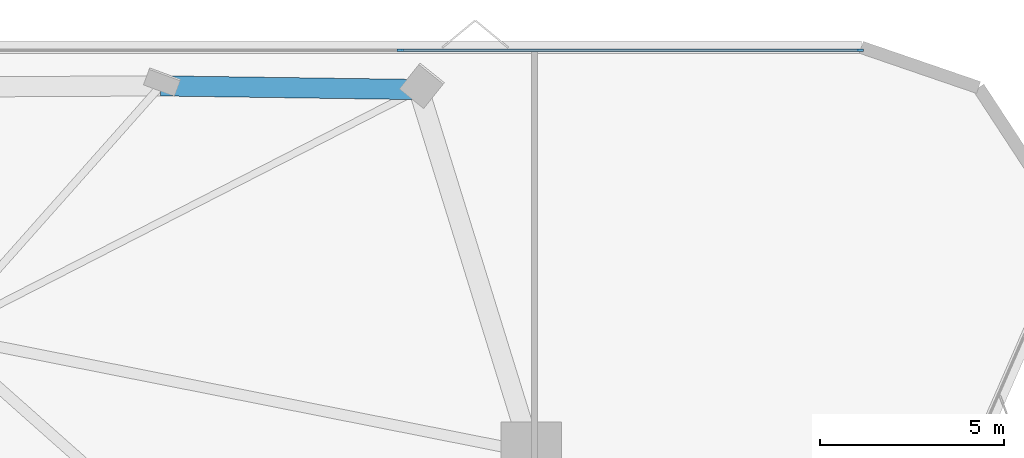
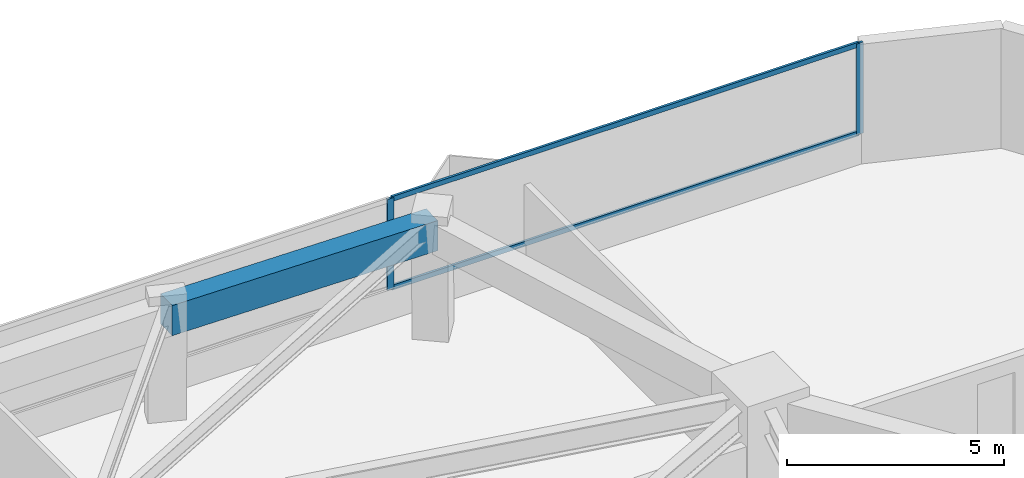
# One storey, part 8 of 15: 4 members, 1 beam, 1 element without a shape of its own.
"""IFC4 building model written with IfcOpenShell, lengths in metres."""

from ifc_helpers import new_model, si_unit, direction, frame, origin, origin_2d, place, context, subcontext, project, spatial, rectangle, extrude, material, layer, layer_set, material_profile, profile_set, type_object, element, aggregate, save


model = new_model("IFC4")

# Units and contexts
model_context = context("Model", 3, precision=1e-05, world=origin(), true_north=direction((0.0, 1.0)))
body_context = subcontext(model_context, "Body", "Model", "MODEL_VIEW")
ifc_project = project(units=[si_unit("LENGTHUNIT", "METRE"), si_unit("AREAUNIT", "SQUARE_METRE"), si_unit("VOLUMEUNIT", "CUBIC_METRE"), si_unit("PLANEANGLEUNIT", "RADIAN"), si_unit("MASSUNIT", "GRAM", prefix="KILO")], contexts=[model_context])

# Site, building, storey
site_placement = place(None, origin())
site = spatial("IfcSite", under=ifc_project, at=site_placement, CompositionType="ELEMENT")
building_placement = place(site_placement, origin())
building = spatial("IfcBuilding", under=site, at=building_placement, Name="Talyreon Biosciences Tower", CompositionType="ELEMENT")
storey_placement = place(building_placement, frame((0.0, 0.0, 111.5)))
storey = spatial("IfcBuildingStorey", under=building, at=storey_placement, Name="L29", CompositionType="ELEMENT", Elevation=111.5)

# Curtain wall, members
ifc_material_1 = material(Name="Thermally broken aluminium and low-E glazing", Category="aluminium")
ifc_layer = layer(ifc_material_1, 0.18994140625)
ifc_layer_set = layer_set([ifc_layer], Name="Thermally broken aluminium and low-E glazing")
curtain_wall_type = type_object("IfcCurtainWallType", Name="CurtainWall_Zone2Genomics", PredefinedType="NOTDEFINED", material=ifc_layer_set)
curtain_wall_placement = place(storey_placement, origin())
curtain_wall = element("IfcCurtainWall", 1, at=curtain_wall_placement, inside=storey, type_object=curtain_wall_type, Name="L29 Unitised Curtain Wall FCW-L29-04", PredefinedType="NOTDEFINED")
ifc_material_2 = material(Name="Anodised thermally broken aluminium", Category="aluminium")
ifc_material_profile_1 = material_profile(ifc_material_2, rectangle(XDim=0.06494140625, YDim=0.179931640625, at=origin_2d()), Name="ALUM MULLION 65x180")
ifc_profile_set_1 = profile_set([ifc_material_profile_1], Name="Anodised thermally broken aluminium")
member_type_1 = type_object("IfcMemberType", Name="CWMullion_65x180", PredefinedType="MULLION", material=ifc_profile_set_1)
member_1_placement = place(storey_placement, frame((78.544189453125, 89.539794921875, 0.81005859375), z_axis=(0.0, 0.0, 1.0), x_axis=(0.0, 1.0, 0.0)))
member_1 = element("IfcMember", 2, at=member_1_placement, type_object=member_type_1, Name="CW3 mullion 4", PredefinedType="MULLION", context=body_context, shape_type="SweptSolid", body=[
    extrude(rectangle(XDim=0.06494140625, YDim=0.179931640625, at=origin_2d()), origin(), (0.0, 0.0, 1.0), 2.56494140625),
])
member_2_placement = place(storey_placement, frame((91.055908203125, 89.539794921875, 0.81005859375), z_axis=(0.0, 0.0, 1.0), x_axis=(0.0, 1.0, 0.0)))
member_2 = element("IfcMember", 3, at=member_2_placement, type_object=member_type_1, Name="CW3 mullion 5", PredefinedType="MULLION", context=body_context, shape_type="SweptSolid", body=[
    extrude(rectangle(XDim=0.06494140625, YDim=0.179931640625, at=origin_2d()), origin(), (0.0, 0.0, 1.0), 2.56494140625),
])
ifc_material_profile_2 = material_profile(ifc_material_2, rectangle(XDim=0.06494140625, YDim=0.139892578125, at=origin_2d()), Name="ALUM TRANSOM 65x140")
ifc_profile_set_2 = profile_set([ifc_material_profile_2], Name="Anodised thermally broken aluminium")
member_type_2 = type_object("IfcMemberType", Name="CWTransom_65x140", PredefinedType="USERDEFINED", material=ifc_profile_set_2)
member_3_placement = place(storey_placement, frame((78.57666015625, 89.539794921875, 0.842529296875), z_axis=(1.0, 0.0, 0.0), x_axis=(0.0, 1.0, 0.0)))
member_3 = element("IfcMember", 4, at=member_3_placement, type_object=member_type_2, Name="CW3 transom 4.1", ObjectType="TRANSOM", PredefinedType="USERDEFINED", context=body_context, shape_type="SweptSolid", body=[
    extrude(rectangle(XDim=0.06494140625, YDim=0.139892578125, at=origin_2d()), origin(), (0.0, 0.0, 1.0), 12.44677734375),
])
member_4_placement = place(storey_placement, frame((78.57666015625, 89.539794921875, 3.342529296875), z_axis=(1.0, 0.0, 0.0), x_axis=(0.0, 1.0, 0.0)))
member_4 = element("IfcMember", 5, at=member_4_placement, type_object=member_type_2, Name="CW3 transom 4.2", ObjectType="TRANSOM", PredefinedType="USERDEFINED", context=body_context, shape_type="SweptSolid", body=[
    extrude(rectangle(XDim=0.06494140625, YDim=0.139892578125, at=origin_2d()), origin(), (0.0, 0.0, 1.0), 12.44677734375),
])
aggregate(curtain_wall, [member_1, member_2, member_3, member_4])

# Beam
ifc_material_3 = material(Name="Precast concrete C45/55", Category="concrete")
ifc_material_profile_3 = material_profile(ifc_material_3, rectangle(XDim=0.550048828125, YDim=0.85009765625, at=origin_2d()), Name="RCB 550x850")
ifc_profile_set_3 = profile_set([ifc_material_profile_3], Name="Precast concrete C45/55")
beam_type = type_object("IfcBeamType", Name="ExpressedSpandrel_550x850", PredefinedType="SPANDREL", material=ifc_profile_set_3)
beam_placement = place(storey_placement, frame((79.0458984375, 88.4697265625, 2.949951171875), z_axis=(-0.99989849176, 0.014248023551, 0.0), x_axis=(-0.014248023551, -0.99989849176, 0.0)))
element("IfcBeam", 6, at=beam_placement, inside=storey, type_object=beam_type, Name="L29 Expressed Horizontal Concrete Spandrel 06", PredefinedType="SPANDREL", context=body_context, shape_type="SweptSolid", body=[
    extrude(rectangle(XDim=0.550048828125, YDim=0.85009765625, at=origin_2d()), origin(), (0.0, 0.0, 1.0), 7.025390625),
])

save(model, "model.ifc")
